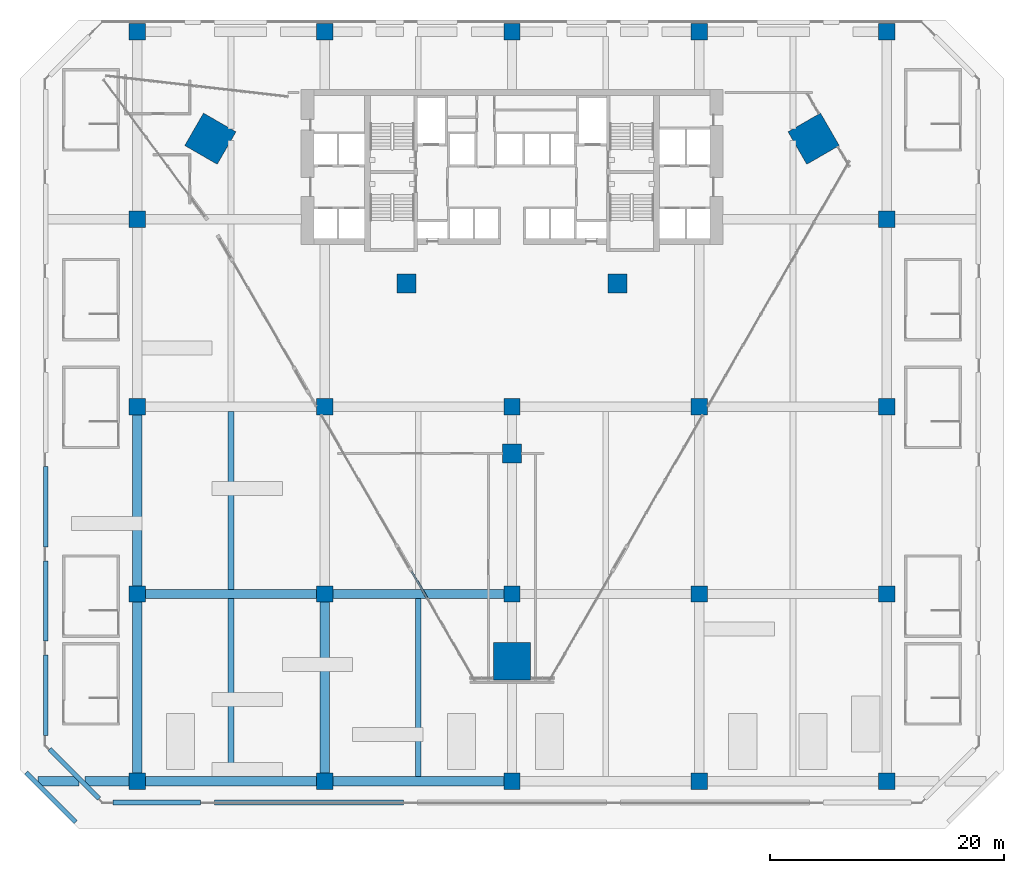
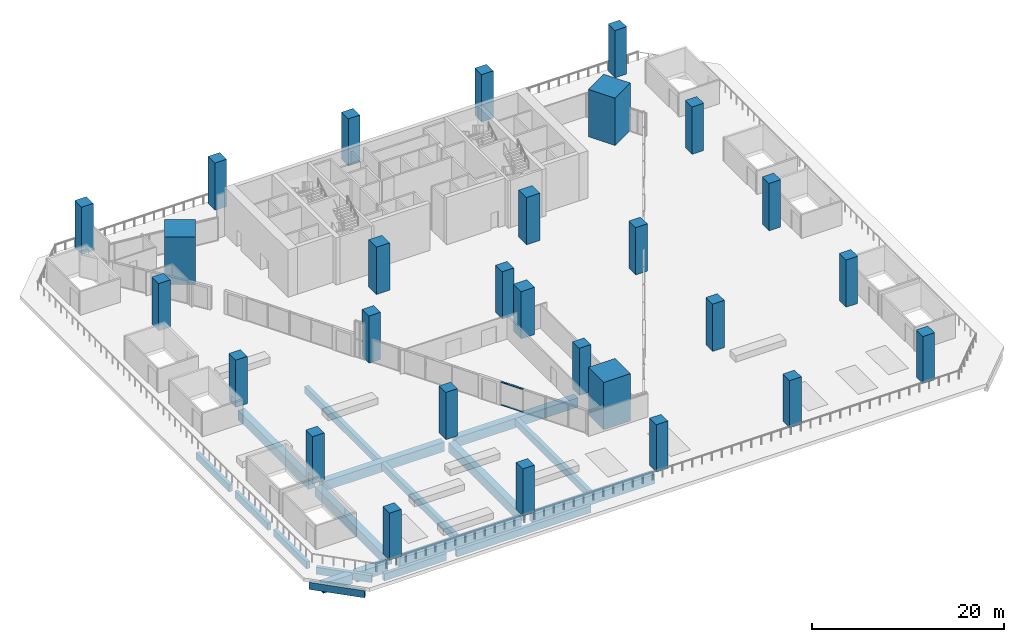
# One storey, part 1 of 25: 28 columns, 19 beams, 2 members, 1 element without a shape of its own.
"""IFC4 building model written with IfcOpenShell, lengths in metres."""

from ifc_helpers import new_model, si_unit, direction, frame, origin, origin_2d, place, context, subcontext, project, spatial, rectangle, extrude, material, material_profile, profile_set, type_object, element, aggregate, save


model = new_model("IFC4")

# Units and contexts
model_context = context("Model", 3, precision=1e-05, world=origin(), true_north=direction((0.0, 1.0)))
body_context = subcontext(model_context, "Body", "Model", "MODEL_VIEW")
ifc_project = project(units=[si_unit("LENGTHUNIT", "METRE"), si_unit("AREAUNIT", "SQUARE_METRE"), si_unit("VOLUMEUNIT", "CUBIC_METRE"), si_unit("PLANEANGLEUNIT", "RADIAN"), si_unit("MASSUNIT", "GRAM", prefix="KILO")], contexts=[model_context])

# Site, building, storey
site_placement = place(None, origin())
site = spatial("IfcSite", under=ifc_project, at=site_placement, CompositionType="ELEMENT")
building_placement = place(site_placement, origin())
building = spatial("IfcBuilding", under=site, at=building_placement, Name="Calabash Gate Tower", CompositionType="ELEMENT")
storey_placement = place(building_placement, frame((0.0, 0.0, 40.0)))
storey = spatial("IfcBuildingStorey", under=building, at=storey_placement, Name="L05", CompositionType="ELEMENT", Elevation=40.0)

# Columns
ifc_material_1 = material(Name="Concrete C80/95", Category="concrete")
ifc_material_profile_1 = material_profile(ifc_material_1, rectangle(XDim=1.60009765625, YDim=1.60009765625, at=origin_2d()))
ifc_profile_set_1 = profile_set([ifc_material_profile_1], Name="Concrete C80/95")
column_type_1 = type_object("IfcColumnType", Name="Interior column RC 1600x1600 Concrete C80/95", PredefinedType="COLUMN", material=ifc_profile_set_1)
for number, where, z_axis, x_axis, name in (
    (1, (-9.0, 2.5, 0.0), (0.0, 0.0, 1.0), (1.0, 0.0, 0.0), "Interior column L05 I0"),
    (2, (9.0, 2.5, 0.0), (0.0, 0.0, 1.0), (1.0, 0.0, 0.0), "Interior column L05 I1"),
    (3, (0.0, -12.0, 0.0), (0.0, 0.0, 1.0), (1.0, 0.0, 0.0), "Interior column L05 I2"),
):
    element("IfcColumn", number, at=place(storey_placement, frame(where, z_axis=z_axis, x_axis=x_axis)), inside=storey, type_object=column_type_1, Name=name, PredefinedType="COLUMN", context=body_context, shape_type="SweptSolid", body=[
        extrude(rectangle(XDim=1.60009765625, YDim=1.60009765625, at=origin_2d()), origin(), (0.0, 0.0, 1.0), 6.0),
    ])
ifc_material_2 = material(Name="Concrete C80/95", Category="concrete")
ifc_material_profile_2 = material_profile(ifc_material_2, rectangle(XDim=3.199951171875, YDim=3.199951171875, at=origin_2d()))
ifc_profile_set_2 = profile_set([ifc_material_profile_2], Name="Concrete C80/95")
column_type_2 = type_object("IfcColumnType", Name="Mega column RC 3200x3200 Concrete C80/95", PredefinedType="COLUMN", material=ifc_profile_set_2)
for number, where, z_axis, x_axis, name in (
    (4, (-25.75, 14.866943359375, 0.0), (0.0, 0.0, 1.0), (0.866025386331, -0.50000003023, 0.0), "Mega column L05 NW"),
    (5, (25.75, 14.866943359375, 0.0), (0.0, 0.0, 1.0), (-0.866025386331, -0.50000003023, 0.0), "Mega column L05 NE"),
    (6, (0.0, -29.73291015625, 0.0), (0.0, 0.0, 1.0), (0.0, 1.0, 0.0), "Mega column L05 S"),
):
    element("IfcColumn", number, at=place(storey_placement, frame(where, z_axis=z_axis, x_axis=x_axis)), inside=storey, type_object=column_type_2, Name=name, PredefinedType="COLUMN", context=body_context, shape_type="SweptSolid", body=[
        extrude(rectangle(XDim=3.199951171875, YDim=3.199951171875, at=origin_2d()), origin(), (0.0, 0.0, 1.0), 6.0),
    ])
ifc_material_3 = material(Name="Concrete C80/95", Category="concrete")
ifc_material_profile_3 = material_profile(ifc_material_3, rectangle(XDim=1.39990234375, YDim=1.39990234375, at=origin_2d()))
ifc_profile_set_3 = profile_set([ifc_material_profile_3], Name="Concrete C80/95")
column_type_3 = type_object("IfcColumnType", Name="Podium column RC 1400x1400 Concrete C80/95", PredefinedType="COLUMN", material=ifc_profile_set_3)
for number, where, z_axis, x_axis, name in (
    (7, (-32.0, -40.0, 0.0), (0.0, 0.0, 1.0), (1.0, 0.0, 0.0), "Podium column L05 G2A"),
    (8, (-32.0, -24.0, 0.0), (0.0, 0.0, 1.0), (1.0, 0.0, 0.0), "Podium column L05 G2B"),
    (9, (-32.0, -8.0, 0.0), (0.0, 0.0, 1.0), (1.0, 0.0, 0.0), "Podium column L05 G2C"),
    (10, (-32.0, 8.0, 0.0), (0.0, 0.0, 1.0), (1.0, 0.0, 0.0), "Podium column L05 G2D"),
    (11, (-32.0, 24.0, 0.0), (0.0, 0.0, 1.0), (1.0, 0.0, 0.0), "Podium column L05 G2E"),
    (12, (-16.0, -40.0, 0.0), (0.0, 0.0, 1.0), (1.0, 0.0, 0.0), "Podium column L05 G3A"),
    (13, (-16.0, -24.0, 0.0), (0.0, 0.0, 1.0), (1.0, 0.0, 0.0), "Podium column L05 G3B"),
    (14, (-16.0, -8.0, 0.0), (0.0, 0.0, 1.0), (1.0, 0.0, 0.0), "Podium column L05 G3C"),
    (15, (-16.0, 24.0, 0.0), (0.0, 0.0, 1.0), (1.0, 0.0, 0.0), "Podium column L05 G3E"),
    (16, (0.0, -40.0, 0.0), (0.0, 0.0, 1.0), (1.0, 0.0, 0.0), "Podium column L05 G4A"),
    (17, (0.0, -24.0, 0.0), (0.0, 0.0, 1.0), (1.0, 0.0, 0.0), "Podium column L05 G4B"),
    (18, (0.0, -8.0, 0.0), (0.0, 0.0, 1.0), (1.0, 0.0, 0.0), "Podium column L05 G4C"),
    (19, (0.0, 24.0, 0.0), (0.0, 0.0, 1.0), (1.0, 0.0, 0.0), "Podium column L05 G4E"),
    (20, (16.0, -40.0, 0.0), (0.0, 0.0, 1.0), (1.0, 0.0, 0.0), "Podium column L05 G5A"),
    (21, (16.0, -24.0, 0.0), (0.0, 0.0, 1.0), (1.0, 0.0, 0.0), "Podium column L05 G5B"),
    (22, (16.0, -8.0, 0.0), (0.0, 0.0, 1.0), (1.0, 0.0, 0.0), "Podium column L05 G5C"),
    (23, (16.0, 24.0, 0.0), (0.0, 0.0, 1.0), (1.0, 0.0, 0.0), "Podium column L05 G5E"),
    (24, (32.0, -40.0, 0.0), (0.0, 0.0, 1.0), (1.0, 0.0, 0.0), "Podium column L05 G6A"),
    (25, (32.0, -24.0, 0.0), (0.0, 0.0, 1.0), (1.0, 0.0, 0.0), "Podium column L05 G6B"),
    (26, (32.0, -8.0, 0.0), (0.0, 0.0, 1.0), (1.0, 0.0, 0.0), "Podium column L05 G6C"),
    (27, (32.0, 8.0, 0.0), (0.0, 0.0, 1.0), (1.0, 0.0, 0.0), "Podium column L05 G6D"),
    (28, (32.0, 24.0, 0.0), (0.0, 0.0, 1.0), (1.0, 0.0, 0.0), "Podium column L05 G6E"),
):
    element("IfcColumn", number, at=place(storey_placement, frame(where, z_axis=z_axis, x_axis=x_axis)), inside=storey, type_object=column_type_3, Name=name, PredefinedType="COLUMN", context=body_context, shape_type="SweptSolid", body=[
        extrude(rectangle(XDim=1.39990234375, YDim=1.39990234375, at=origin_2d()), origin(), (0.0, 0.0, 1.0), 6.0),
    ])

# Beams
ifc_material_4 = material(Name="Concrete C50/60", Category="concrete")
ifc_material_profile_4 = material_profile(ifc_material_4, rectangle(XDim=0.39990234375, YDim=0.89990234375, at=origin_2d()))
ifc_profile_set_4 = profile_set([ifc_material_profile_4], Name="Concrete C50/60")
beam_type_1 = type_object("IfcBeamType", Name="Edge beam RC 400x900 Concrete C50/60", PredefinedType="BEAM", material=ifc_profile_set_4)
beam_1_placement = place(storey_placement, frame((-35.24609375, -41.470947265625, -0.89990234375), z_axis=(-0.707106781187, 0.707106781187, 0.0), x_axis=(-0.707106781187, -0.707106781187, 0.0)))
element("IfcBeam", 29, at=beam_1_placement, inside=storey, type_object=beam_type_1, Name="Edge beam L05 1", PredefinedType="BEAM", context=body_context, shape_type="SweptSolid", body=[
    extrude(rectangle(XDim=0.39990234375, YDim=0.89990234375, at=origin_2d()), origin(), (0.0, 0.0, 1.0), 5.974853515625),
])
beam_2_placement = place(storey_placement, frame((-39.800048828125, -36.069091796875, -0.89990234375), z_axis=(0.0, 1.0, 0.0), x_axis=(-1.0, 0.0, 0.0)))
element("IfcBeam", 30, at=beam_2_placement, inside=storey, type_object=beam_type_1, Name="Edge beam L05 2", PredefinedType="BEAM", context=body_context, shape_type="SweptSolid", body=[
    extrude(rectangle(XDim=0.39990234375, YDim=0.89990234375, at=origin_2d()), origin(), (0.0, 0.0, 1.0), 6.84912109375),
])
for number, where, z_axis, x_axis, name in (
    (31, (-39.800048828125, -28.02001953125, -0.89990234375), (0.0, 1.0, 0.0), (-1.0, 0.0, 0.0), "Edge beam L05 3"),
    (32, (-39.800048828125, -19.971923828125, -0.89990234375), (0.0, 1.0, 0.0), (-1.0, 0.0, 0.0), "Edge beam L05 4"),
):
    element("IfcBeam", number, at=place(storey_placement, frame(where, z_axis=z_axis, x_axis=x_axis)), inside=storey, type_object=beam_type_1, Name=name, PredefinedType="BEAM", context=body_context, shape_type="SweptSolid", body=[
        extrude(rectangle(XDim=0.39990234375, YDim=0.89990234375, at=origin_2d()), origin(), (0.0, 0.0, 1.0), 6.847900390625),
    ])
beam_3_placement = place(storey_placement, frame((-9.26708984375, -41.800048828125, -0.89990234375), z_axis=(-1.0, 0.0, 0.0), x_axis=(0.0, -1.0, 0.0)))
element("IfcBeam", 33, at=beam_3_placement, inside=storey, type_object=beam_type_1, Name="Edge beam L05 30", PredefinedType="BEAM", context=body_context, shape_type="SweptSolid", body=[
    extrude(rectangle(XDim=0.39990234375, YDim=0.89990234375, at=origin_2d()), origin(), (0.0, 0.0, 1.0), 16.1337890625),
])
beam_4_placement = place(storey_placement, frame((-26.60205078125, -41.800048828125, -0.89990234375), z_axis=(-1.0, 0.0, 0.0), x_axis=(0.0, -1.0, 0.0)))
element("IfcBeam", 34, at=beam_4_placement, inside=storey, type_object=beam_type_1, Name="Edge beam L05 31", PredefinedType="BEAM", context=body_context, shape_type="SweptSolid", body=[
    extrude(rectangle(XDim=0.39990234375, YDim=0.89990234375, at=origin_2d()), origin(), (0.0, 0.0, 1.0), 7.467041015625),
])
beam_5_placement = place(storey_placement, frame((-37.24609375, -43.470947265625, -0.89990234375), z_axis=(-0.707106781187, 0.707106781187, 0.0), x_axis=(-0.707106781187, -0.707106781187, 0.0)))
element("IfcBeam", 35, at=beam_5_placement, inside=storey, type_object=beam_type_1, Name="Edge beam L05 33", PredefinedType="BEAM", context=body_context, shape_type="SweptSolid", body=[
    extrude(rectangle(XDim=0.39990234375, YDim=0.89990234375, at=origin_2d()), origin(), (0.0, 0.0, 1.0), 5.974853515625),
])
ifc_material_5 = material(Name="Concrete C50/60", Category="concrete")
ifc_material_profile_5 = material_profile(ifc_material_5, rectangle(XDim=0.5, YDim=0.89990234375, at=origin_2d()))
ifc_profile_set_5 = profile_set([ifc_material_profile_5], Name="Concrete C50/60")
beam_type_2 = type_object("IfcBeamType", Name="Floor beam RC 500x900 Concrete C50/60", PredefinedType="BEAM", material=ifc_profile_set_5)
for number, where, z_axis, x_axis, name in (
    (36, (-24.0, -39.60009765625, -0.89990234375), (0.0, 1.0, 0.0), (-1.0, 0.0, 0.0), "Floor beam L05 1"),
    (37, (-24.0, -23.60009765625, -0.89990234375), (0.0, 1.0, 0.0), (-1.0, 0.0, 0.0), "Floor beam L05 2"),
    (38, (-8.0, -39.60009765625, -0.89990234375), (0.0, 1.0, 0.0), (-1.0, 0.0, 0.0), "Floor beam L05 6"),
):
    element("IfcBeam", number, at=place(storey_placement, frame(where, z_axis=z_axis, x_axis=x_axis)), inside=storey, type_object=beam_type_2, Name=name, PredefinedType="BEAM", context=body_context, shape_type="SweptSolid", body=[
        extrude(rectangle(XDim=0.5, YDim=0.89990234375, at=origin_2d()), origin(), (0.0, 0.0, 1.0), 15.2001953125),
    ])
ifc_material_6 = material(Name="Concrete C50/60", Category="concrete")
ifc_material_profile_6 = material_profile(ifc_material_6, rectangle(XDim=0.800048828125, YDim=1.199951171875, at=origin_2d()))
ifc_profile_set_6 = profile_set([ifc_material_profile_6], Name="Concrete C50/60")
beam_type_3 = type_object("IfcBeamType", Name="Grid girder RC 800x1200 Concrete C50/60", PredefinedType="BEAM", material=ifc_profile_set_6)
for number, where, z_axis, x_axis, name in (
    (39, (-32.0, -39.300048828125, -1.050048828125), (0.0, 1.0, 0.0), (-1.0, 0.0, 0.0), "Grid girder L05 1"),
    (40, (-32.0, -23.300048828125, -1.050048828125), (0.0, 1.0, 0.0), (-1.0, 0.0, 0.0), "Grid girder L05 2"),
    (41, (-16.0, -39.300048828125, -1.050048828125), (0.0, 1.0, 0.0), (-1.0, 0.0, 0.0), "Grid girder L05 5"),
):
    element("IfcBeam", number, at=place(storey_placement, frame(where, z_axis=z_axis, x_axis=x_axis)), inside=storey, type_object=beam_type_3, Name=name, PredefinedType="BEAM", context=body_context, shape_type="SweptSolid", body=[
        extrude(rectangle(XDim=0.800048828125, YDim=1.199951171875, at=origin_2d()), origin(), (0.0, 0.0, 1.0), 14.60009765625),
    ])
beam_6_placement = place(storey_placement, frame((-40.466064453125, -40.0, -1.050048828125), z_axis=(1.0, 0.0, 0.0), x_axis=(0.0, 1.0, 0.0)))
element("IfcBeam", 42, at=beam_6_placement, inside=storey, type_object=beam_type_3, Name="Grid girder L05 22", PredefinedType="BEAM", context=body_context, shape_type="SweptSolid", body=[
    extrude(rectangle(XDim=0.800048828125, YDim=1.199951171875, at=origin_2d()), origin(), (0.0, 0.0, 1.0), 3.498046875),
])
beam_7_placement = place(storey_placement, frame((-36.466064453125, -40.0, -1.050048828125), z_axis=(1.0, 0.0, 0.0), x_axis=(0.0, 1.0, 0.0)))
element("IfcBeam", 43, at=beam_7_placement, inside=storey, type_object=beam_type_3, Name="Grid girder L05 23", PredefinedType="BEAM", context=body_context, shape_type="SweptSolid", body=[
    extrude(rectangle(XDim=0.800048828125, YDim=1.199951171875, at=origin_2d()), origin(), (0.0, 0.0, 1.0), 3.76611328125),
])
for number, where, z_axis, x_axis, name in (
    (44, (-31.300048828125, -40.0, -1.050048828125), (1.0, 0.0, 0.0), (0.0, 1.0, 0.0), "Grid girder L05 24"),
    (45, (-15.300048828125, -40.0, -1.050048828125), (1.0, 0.0, 0.0), (0.0, 1.0, 0.0), "Grid girder L05 25"),
    (46, (-31.300048828125, -24.0, -1.050048828125), (1.0, 0.0, 0.0), (0.0, 1.0, 0.0), "Grid girder L05 30"),
    (47, (-15.300048828125, -24.0, -1.050048828125), (1.0, 0.0, 0.0), (0.0, 1.0, 0.0), "Grid girder L05 31"),
):
    element("IfcBeam", number, at=place(storey_placement, frame(where, z_axis=z_axis, x_axis=x_axis)), inside=storey, type_object=beam_type_3, Name=name, PredefinedType="BEAM", context=body_context, shape_type="SweptSolid", body=[
        extrude(rectangle(XDim=0.800048828125, YDim=1.199951171875, at=origin_2d()), origin(), (0.0, 0.0, 1.0), 14.60009765625),
    ])

# Curtain wall, members
ifc_material_7 = material(Name="Anodised aluminium frame, bronze finish, clear laminated impact-rated glazing", Category="aluminium")
curtain_wall_type = type_object("IfcCurtainWallType", Name="Curtain wall CWF podium shopfront", PredefinedType="NOTDEFINED", material=ifc_material_7)
curtain_wall_placement = place(storey_placement, origin())
curtain_wall = element("IfcCurtainWall", 48, at=curtain_wall_placement, inside=storey, type_object=curtain_wall_type, Name="Curtain wall CWF L05 lobby 0.3.0", PredefinedType="NOTDEFINED")
ifc_material_8 = material(Name="Anodised aluminium frame, bronze finish", Category="aluminium")
ifc_material_profile_7 = material_profile(ifc_material_8, rectangle(XDim=0.14990234375, YDim=0.06494140625, at=origin_2d()))
ifc_profile_set_7 = profile_set([ifc_material_profile_7], Name="Anodised aluminium frame, bronze finish")
member_type = type_object("IfcMemberType", Name="Transom CWF 65x150", PredefinedType="USERDEFINED", material=ifc_profile_set_7)
member_1_placement = place(storey_placement, frame((-8.55517578125, -22.0869140625, 0.032470703125), z_axis=(0.499959167372, -0.86604897723, 0.0), x_axis=(0.86604897723, 0.499959167372, 0.0)))
member_1 = element("IfcMember", 49, at=member_1_placement, type_object=member_type, Name="CWF transom 1.1", ObjectType="TRANSOM", PredefinedType="USERDEFINED", context=body_context, shape_type="SweptSolid", body=[
    extrude(rectangle(XDim=0.14990234375, YDim=0.06494140625, at=origin_2d()), origin(), (0.0, 0.0, 1.0), 2.618896484375),
])
member_2_placement = place(storey_placement, frame((-8.55517578125, -22.0869140625, 2.91748046875), z_axis=(0.499959167372, -0.86604897723, 0.0), x_axis=(0.86604897723, 0.499959167372, 0.0)))
member_2 = element("IfcMember", 50, at=member_2_placement, type_object=member_type, Name="CWF transom 1.2", ObjectType="TRANSOM", PredefinedType="USERDEFINED", context=body_context, shape_type="SweptSolid", body=[
    extrude(rectangle(XDim=0.14990234375, YDim=0.06494140625, at=origin_2d()), origin(), (0.0, 0.0, 1.0), 2.618896484375),
])
aggregate(curtain_wall, [member_1, member_2])

save(model, "model.ifc")
